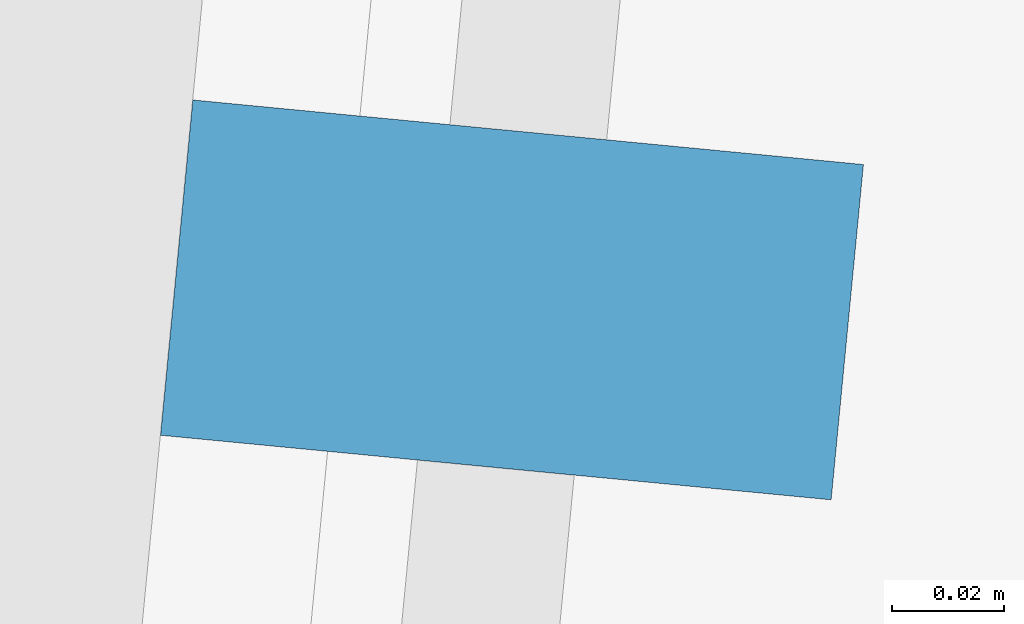
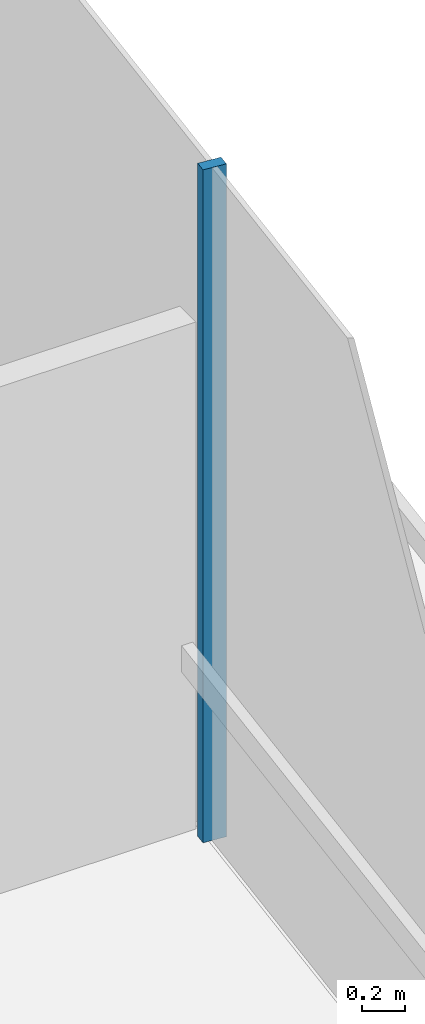
# One storey, part 13 of 25: 1 member, 1 element without a shape of its own.
"""IFC4 building model written with IfcOpenShell, lengths in metres."""

import ifcopenshell
import ifcopenshell.guid

model = None  # the IFC model being written
_history = None  # IfcOwnerHistory: only IFC2X3 demands one
_inside = {}  # id of a spatial element -> (the spatial element, [elements in it])
_under = {}  # id of a project, library or spatial element -> (it, [spatial elements below it])
_declared = {}  # id of a project -> (the project, [libraries it declares])
_typed = {}  # id of a type object -> (the type object, [elements of that type])
_made_of = {}  # id of a material, layer set ... -> (it, [elements and type objects made of it])


def new_model(schema):
    """Start an empty IFC model of exactly this schema.

    Asked for "IFC4X3", IfcOpenShell would pick the latest addendum, in which some entities
    have other attributes; the version numbers below select the first issue.
    IFC2X3 requires an IfcOwnerHistory on every rooted entity: one is made here for all.
    """
    global model, _history
    if schema == "IFC4X3":
        model = ifcopenshell.file(schema_version=(4, 3, 0, 0))
    else:
        model = ifcopenshell.file(schema=schema)
    _inside.clear()
    _under.clear()
    _declared.clear()
    _typed.clear()
    _made_of.clear()
    _history = None
    if model.schema == "IFC2X3":
        org = make("IfcOrganization", Name="unknown")
        user = make(
            "IfcPersonAndOrganization",
            ThePerson=make("IfcPerson", FamilyName="unknown"),
            TheOrganization=org,
        )
        app = make(
            "IfcApplication",
            ApplicationDeveloper=org,
            Version="unknown",
            ApplicationFullName="unknown",
            ApplicationIdentifier="unknown",
        )
        _history = make(
            "IfcOwnerHistory",
            OwningUser=user,
            OwningApplication=app,
            ChangeAction="ADDED",
            CreationDate=0,
        )
    return model


def make(cls, **values):
    """One entity of the class cls with the attributes given. An attribute that is None is left unset."""
    return model.create_entity(
        cls, **{name: value for name, value in values.items() if value is not None}
    )


def rooted(cls, **values):
    """An entity with a GlobalId (a new one), such as an element, a storey or a relation."""
    return make(cls, GlobalId=ifcopenshell.guid.new(), OwnerHistory=_history, **values)


def si_unit(unit_type, name, prefix=None):
    """IfcSIUnit, for example si_unit("LENGTHUNIT", "METRE", prefix="MILLI")."""
    return make("IfcSIUnit", UnitType=unit_type, Prefix=prefix, Name=name)


def assignment(units):
    """IfcUnitAssignment: the units of a project."""
    return None if units is None else make("IfcUnitAssignment", Units=units)


def point(xyz):
    """IfcCartesianPoint."""
    return None if xyz is None else make("IfcCartesianPoint", Coordinates=xyz)


def direction(xyz):
    """IfcDirection."""
    return None if xyz is None else make("IfcDirection", DirectionRatios=xyz)


def frame(location, z_axis=None, x_axis=None):
    """IfcAxis2Placement3D, a coordinate frame: its origin and axes. An axis left out is left unset."""
    return make(
        "IfcAxis2Placement3D",
        Location=point(location),
        Axis=direction(z_axis),
        RefDirection=direction(x_axis),
    )


def frame_2d(location, x_axis=None):
    """IfcAxis2Placement2D, a coordinate frame in the plane: its origin and x axis."""
    return make(
        "IfcAxis2Placement2D", Location=point(location), RefDirection=direction(x_axis)
    )


def origin():
    """The frame at (0, 0, 0) with its axes left unset."""
    return frame((0.0, 0.0, 0.0))


def origin_2d():
    """The frame at (0, 0) in the plane with its x axis left unset."""
    return frame_2d((0.0, 0.0))


def place(relative_to, where):
    """IfcLocalPlacement: puts the frame where relative to a parent placement (None: the world)."""
    return make(
        "IfcLocalPlacement", PlacementRelTo=relative_to, RelativePlacement=where
    )


def context(
    kind, dimensions, precision=None, world=None, true_north=None, identifier=None
):
    """IfcGeometricRepresentationContext, for example the 3D "Model" context."""
    return make(
        "IfcGeometricRepresentationContext",
        ContextIdentifier=identifier,
        ContextType=kind,
        CoordinateSpaceDimension=dimensions,
        Precision=precision,
        WorldCoordinateSystem=world,
        TrueNorth=true_north,
    )


def subcontext(parent, identifier, kind, view, scale=None):
    """IfcGeometricRepresentationSubContext, for example "Body" below "Model"."""
    return make(
        "IfcGeometricRepresentationSubContext",
        ContextIdentifier=identifier,
        ContextType=kind,
        ParentContext=parent,
        TargetScale=scale,
        TargetView=view,
    )


def project(units=None, contexts=None):
    """IfcProject with its units and contexts."""
    return rooted(
        "IfcProject",
        Name="project",
        RepresentationContexts=contexts,
        UnitsInContext=assignment(units),
    )


def spatial(cls, under=None, at=None, **own):
    """A site, building, storey or space (cls), placed at a placement, below another one or the project."""
    s = rooted(cls, ObjectPlacement=at, **own)
    if under is not None:
        _under.setdefault(under.id(), (under, []))[1].append(s)
    return s


def profile(cls, at=None, kind="AREA", **sizes):
    """A parametric profile (cls). Its sizes go by their IFC names, for example OverallWidth=200.0."""
    return make(cls, ProfileType=kind, Position=at, **sizes)


def rectangle(**sizes):
    """IfcRectangleProfileDef."""
    return profile("IfcRectangleProfileDef", **sizes)


def extrude(swept, where, along, depth):
    """IfcExtrudedAreaSolid: the profile swept, set in the frame where, extruded along a direction by depth."""
    return make(
        "IfcExtrudedAreaSolid",
        SweptArea=swept,
        Position=where,
        ExtrudedDirection=direction(along),
        Depth=depth,
    )


def shape(context_of_items, identifier, shape_type, items):
    """IfcShapeRepresentation: the items that make up one representation, for example the "Body"."""
    return make(
        "IfcShapeRepresentation",
        ContextOfItems=context_of_items,
        RepresentationIdentifier=identifier,
        RepresentationType=shape_type,
        Items=items,
    )


def material(Name=None, Category=None):
    """IfcMaterial."""
    return make("IfcMaterial", Name=Name, Category=Category)


def layer(
    of_material, thickness, ventilated=None, Name=None, Category=None, Priority=None
):
    """IfcMaterialLayer: one layer of a wall or slab, of a material (None: an air gap)."""
    return make(
        "IfcMaterialLayer",
        Material=of_material,
        LayerThickness=thickness,
        IsVentilated=ventilated,
        Name=Name,
        Category=Category,
        Priority=Priority,
    )


def layer_set(layers, Name=None):
    """IfcMaterialLayerSet."""
    return make("IfcMaterialLayerSet", MaterialLayers=layers, LayerSetName=Name)


def material_profile(
    of_material, cross_section, Name=None, Category=None, Priority=None
):
    """IfcMaterialProfile: a cross section and its material."""
    return make(
        "IfcMaterialProfile",
        Name=Name,
        Material=of_material,
        Profile=cross_section,
        Priority=Priority,
        Category=Category,
    )


def profile_set(profiles, Name=None, composite=None):
    """IfcMaterialProfileSet."""
    return make(
        "IfcMaterialProfileSet",
        Name=Name,
        MaterialProfiles=profiles,
        CompositeProfile=composite,
    )


def made_of(thing, what):
    """Note that an element or type object is made of a material, layer set ...; save() writes the relation."""
    if what is not None:
        _made_of.setdefault(what.id(), (what, []))[1].append(thing)
    return thing


def type_object(cls, material=None, **own):
    """A type object (cls), such as IfcWallType, which elements share."""
    return made_of(rooted(cls, **own), material)


def element(
    cls,
    number,
    at=None,
    inside=None,
    cuts=None,
    type_object=None,
    material=None,
    context=None,
    identifier="Body",
    shape_type=None,
    held_by="IfcProductDefinitionShape",
    body=None,
    shapes=None,
    **own,
):
    """One element of the class cls, such as IfcWall. Its Tag is "e" and its number.

    at: its placement. inside: the storey or other place that contains it. cuts: it is an
    opening in that element (IfcRelVoidsElement). A single representation is given by context,
    identifier, shape_type and body (its items); several are given by shapes. held_by: the class
    of the entity that holds the representations. save() writes the other relations.
    """
    e = rooted(cls, Tag="e%d" % number, ObjectPlacement=at, **own)
    if body is not None:
        shapes = [shape(context, identifier, shape_type, body)]
    if shapes is not None:
        e.Representation = make(held_by, Representations=shapes)
    if inside is not None:
        _inside.setdefault(inside.id(), (inside, []))[1].append(e)
    if cuts is not None:
        rooted(
            "IfcRelVoidsElement", RelatingBuildingElement=cuts, RelatedOpeningElement=e
        )
    if type_object is not None:
        _typed.setdefault(type_object.id(), (type_object, []))[1].append(e)
    return made_of(e, material)


def aggregate(whole, parts):
    """IfcRelAggregates: a whole, such as a stair, and the parts it consists of."""
    return rooted("IfcRelAggregates", RelatingObject=whole, RelatedObjects=parts)


def save(model, path):
    """Write the relations noted so far, then the file.

    IfcRelAggregates (storeys below a building ...), IfcRelContainedInSpatialStructure (elements
    in a storey), IfcRelDefinesByType, IfcRelAssociatesMaterial and IfcRelDeclares: one each for
    every whole, place, type object, material and project.
    """
    for whole, parts in _under.values():
        aggregate(whole, parts)
    for where, things in _inside.values():
        rooted(
            "IfcRelContainedInSpatialStructure",
            RelatedElements=things,
            RelatingStructure=where,
        )
    for kind, things in _typed.values():
        rooted("IfcRelDefinesByType", RelatedObjects=things, RelatingType=kind)
    for what, things in _made_of.values():
        rooted("IfcRelAssociatesMaterial", RelatedObjects=things, RelatingMaterial=what)
    for by, libraries in _declared.values():
        rooted("IfcRelDeclares", RelatingContext=by, RelatedDefinitions=libraries)
    model.write(path)


model = new_model("IFC4")

# Units and contexts
model_context = context("Model", 3, precision=1e-05, world=origin(), true_north=direction((0.0, 1.0)))
body_context = subcontext(model_context, "Body", "Model", "MODEL_VIEW")
ifc_project = project(units=[si_unit("LENGTHUNIT", "METRE"), si_unit("AREAUNIT", "SQUARE_METRE"), si_unit("VOLUMEUNIT", "CUBIC_METRE"), si_unit("PLANEANGLEUNIT", "RADIAN"), si_unit("MASSUNIT", "GRAM", prefix="KILO")], contexts=[model_context])

# Site, building, storey
site_placement = place(None, origin())
site = spatial("IfcSite", under=ifc_project, at=site_placement, CompositionType="ELEMENT")
building_placement = place(site_placement, origin())
building = spatial("IfcBuilding", under=site, at=building_placement, Name="Welwitschia Terrace Campus", CompositionType="ELEMENT")
storey_placement = place(building_placement, frame((0.0, 0.0, 264.199951171875)))
storey = spatial("IfcBuildingStorey", under=building, at=storey_placement, Name="L58", CompositionType="ELEMENT", Elevation=264.199951171875)

# Curtain wall, member
ifc_material_1 = material(Name="Bronze anodised aluminium", Category="aluminium")
ifc_layer = layer(ifc_material_1, 0.1201171875)
ifc_layer_set = layer_set([ifc_layer], Name="Bronze anodised aluminium")
curtain_wall_type = type_object("IfcCurtainWallType", Name="Curtain wall CW2 tower 6000", PredefinedType="NOTDEFINED", material=ifc_layer_set)
curtain_wall_placement = place(storey_placement, origin())
curtain_wall = element("IfcCurtainWall", 1, at=curtain_wall_placement, inside=storey, type_object=curtain_wall_type, Name="CW L58.10.0", PredefinedType="NOTDEFINED")
ifc_material_2 = material(Name="Bronze anodised aluminium", Category="aluminium")
ifc_material_profile = material_profile(ifc_material_2, rectangle(XDim=0.1201171875, YDim=0.06005859375, at=origin_2d()))
ifc_profile_set = profile_set([ifc_material_profile], Name="Bronze anodised aluminium")
member_type = type_object("IfcMemberType", Name="Mullion 60x120", PredefinedType="MULLION", material=ifc_profile_set)
member_placement = place(storey_placement, frame((26.664794921875, 44.833984375, 0.0), z_axis=(0.0, 0.0, 1.0), x_axis=(-0.995396198367, 0.09584575252, 0.0)))
member = element("IfcMember", 2, at=member_placement, type_object=member_type, Name="Mullion L58.10.0.3", PredefinedType="MULLION", context=body_context, shape_type="SweptSolid", body=[
    extrude(rectangle(XDim=0.1201171875, YDim=0.06005859375, at=origin_2d()), origin(), (0.0, 0.0, 1.0), 3.85009765625),
])
aggregate(curtain_wall, [member])

save(model, "model.ifc")
